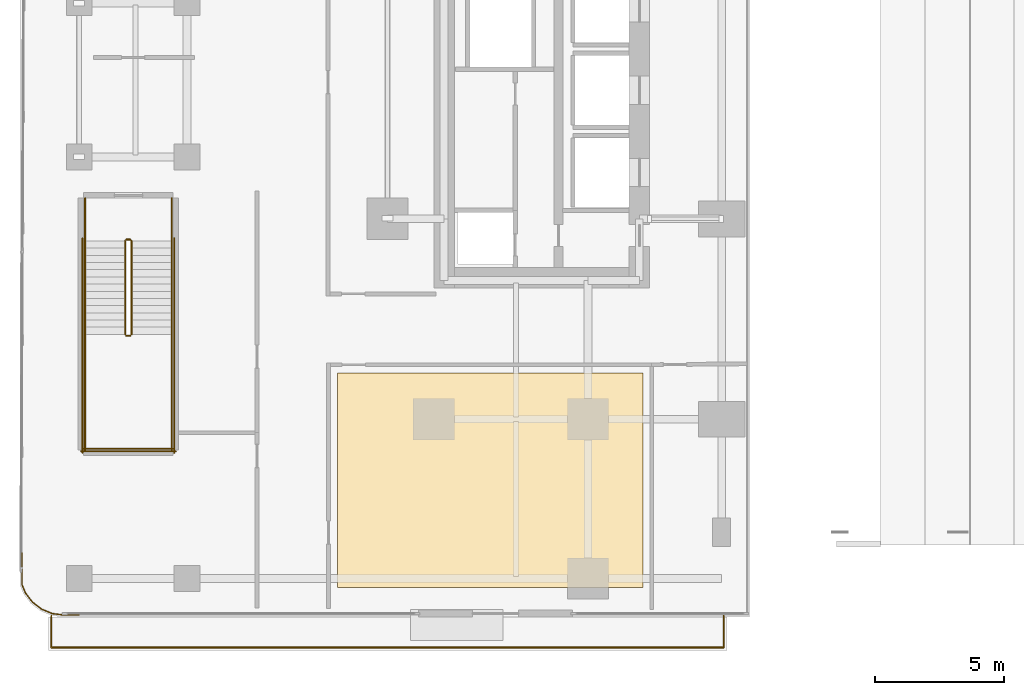
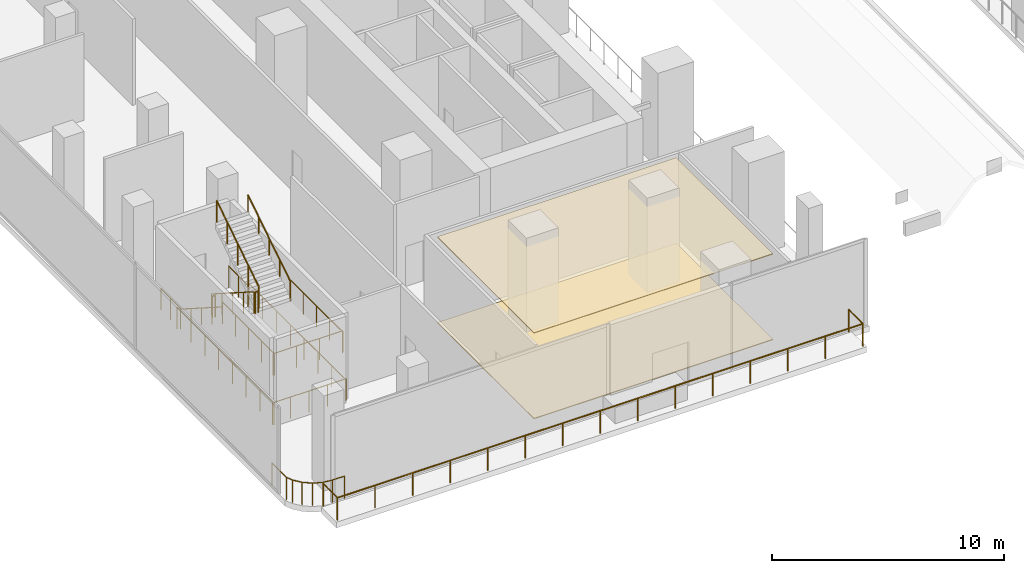
# One storey, part 23 of 32: 16 railings, 2 coverings.
"""IFC4 building model written with IfcOpenShell, lengths in metres."""

from ifc_helpers import new_model, si_unit, direction, frame, origin, origin_2d, place, context, subcontext, project, spatial, polyline, circle, outline, extrude, material, layer, layer_set, type_object, element, save


model = new_model("IFC4")

# Units and contexts
model_context = context("Model", 3, precision=1e-05, world=origin(), true_north=direction((0.0, 1.0)))
body_context = subcontext(model_context, "Body", "Model", "MODEL_VIEW")
ifc_project = project(units=[si_unit("LENGTHUNIT", "METRE"), si_unit("AREAUNIT", "SQUARE_METRE"), si_unit("VOLUMEUNIT", "CUBIC_METRE"), si_unit("PLANEANGLEUNIT", "RADIAN"), si_unit("MASSUNIT", "GRAM", prefix="KILO")], contexts=[model_context])

# Site, building, storey
site_placement = place(None, origin())
site = spatial("IfcSite", under=ifc_project, at=site_placement, CompositionType="ELEMENT")
building_placement = place(site_placement, origin())
building = spatial("IfcBuilding", under=site, at=building_placement, Name="Khairoan Windgate Tower", CompositionType="ELEMENT")
storey_placement = place(building_placement, frame((0.0, 0.0, 16.0)))
storey = spatial("IfcBuildingStorey", under=building, at=storey_placement, Name="L04", CompositionType="ELEMENT", Elevation=16.0)

# Railings
ifc_material_1 = material(Name="Anodised Bronze Aluminium 6063-T6", Category="aluminium")
railing_type_1 = type_object("IfcRailingType", Name="Aerodynamic Bronze-and-Glass Balustrade BAL-1200", PredefinedType="BALUSTRADE", material=ifc_material_1)
railing_1_placement = place(storey_placement, frame((-35.280029296875, -26.25, 0.0)))
element("IfcRailing", 1, at=railing_1_placement, inside=storey, type_object=railing_type_1, Name="South-West Congress Sky Terrace Balustrade", PredefinedType="BALUSTRADE", context=body_context, shape_type="SweptSolid", body=[
    extrude(circle(Radius=0.02392578125, at=origin_2d()), frame((0.0, 0.0, 1.17578125), z_axis=(0.0, -1.0, 0.0), x_axis=(1.0, 0.0, 0.0)), (0.0, 0.0, 1.0), 1.22998046875),
    extrude(circle(Radius=0.02392578125, at=origin_2d()), frame((0.0, -1.22998046875, 1.17578125), z_axis=(1.0, 0.0, 0.0), x_axis=(0.0, 1.0, 0.0)), (0.0, 0.0, 1.0), 26.159912109375),
    extrude(circle(Radius=0.02392578125, at=origin_2d()), frame((26.159912109375, -1.22998046875, 1.17578125), z_axis=(0.0, 1.0, 0.0), x_axis=(-1.0, 0.0, 0.0)), (0.0, 0.0, 1.0), 1.22998046875),
    extrude(circle(Radius=0.02099609375, at=origin_2d()), origin(), (0.0, 0.0, 1.0), 1.15185546875),
    extrude(circle(Radius=0.02099609375, at=origin_2d()), frame((0.0, -1.22998046875, 0.0)), (0.0, 0.0, 1.0), 1.15185546875),
    extrude(circle(Radius=0.02099609375, at=origin_2d()), frame((1.86865234375, -1.22998046875, 0.0)), (0.0, 0.0, 1.0), 1.15185546875),
    extrude(circle(Radius=0.02099609375, at=origin_2d()), frame((3.737060546875, -1.22998046875, 0.0)), (0.0, 0.0, 1.0), 1.15185546875),
    extrude(circle(Radius=0.02099609375, at=origin_2d()), frame((5.605712890625, -1.22998046875, 0.0)), (0.0, 0.0, 1.0), 1.15185546875),
    extrude(circle(Radius=0.02099609375, at=origin_2d()), frame((7.474365234375, -1.22998046875, 0.0)), (0.0, 0.0, 1.0), 1.15185546875),
    extrude(circle(Radius=0.02099609375, at=origin_2d()), frame((9.3427734375, -1.22998046875, 0.0)), (0.0, 0.0, 1.0), 1.15185546875),
    extrude(circle(Radius=0.02099609375, at=origin_2d()), frame((11.21142578125, -1.22998046875, 0.0)), (0.0, 0.0, 1.0), 1.15185546875),
    extrude(circle(Radius=0.02099609375, at=origin_2d()), frame((13.080078125, -1.22998046875, 0.0)), (0.0, 0.0, 1.0), 1.15185546875),
    extrude(circle(Radius=0.02099609375, at=origin_2d()), frame((14.948486328125, -1.22998046875, 0.0)), (0.0, 0.0, 1.0), 1.15185546875),
    extrude(circle(Radius=0.02099609375, at=origin_2d()), frame((16.817138671875, -1.22998046875, 0.0)), (0.0, 0.0, 1.0), 1.15185546875),
    extrude(circle(Radius=0.02099609375, at=origin_2d()), frame((18.685546875, -1.22998046875, 0.0)), (0.0, 0.0, 1.0), 1.15185546875),
    extrude(circle(Radius=0.02099609375, at=origin_2d()), frame((20.55419921875, -1.22998046875, 0.0)), (0.0, 0.0, 1.0), 1.15185546875),
    extrude(circle(Radius=0.02099609375, at=origin_2d()), frame((22.4228515625, -1.22998046875, 0.0)), (0.0, 0.0, 1.0), 1.15185546875),
    extrude(circle(Radius=0.02099609375, at=origin_2d()), frame((24.291259765625, -1.22998046875, 0.0)), (0.0, 0.0, 1.0), 1.15185546875),
    extrude(circle(Radius=0.02099609375, at=origin_2d()), frame((26.159912109375, -1.22998046875, 0.0)), (0.0, 0.0, 1.0), 1.15185546875),
    extrude(circle(Radius=0.02099609375, at=origin_2d()), frame((26.159912109375, 0.0, 0.0)), (0.0, 0.0, 1.0), 1.15185546875),
])
railing_2_placement = place(storey_placement, frame((-34.199951171875, -26.219970703125, 0.0)))
element("IfcRailing", 2, at=railing_2_placement, inside=storey, type_object=railing_type_1, Name="L04 WS Corner Edge Guardrail", PredefinedType="BALUSTRADE", context=body_context, shape_type="SweptSolid", body=[
    extrude(circle(Radius=0.02392578125, at=origin_2d()), frame((0.0, 0.0, 1.17578125), z_axis=(-1.0, 0.0, 0.0), x_axis=(0.0, -1.0, 0.0)), (0.0, 0.0, 1.0), 0.594970703125),
    extrude(circle(Radius=0.02392578125, at=origin_2d()), frame((-0.594970703125, 0.0, 1.17578125), z_axis=(-0.99149816219, 0.130120691567, 0.0), x_axis=(-0.130120691567, -0.99149816219, 0.0)), (0.0, 0.0, 1.0), 0.4541015625),
    extrude(circle(Radius=0.02392578125, at=origin_2d()), frame((-1.045166015625, 0.05908203125, 1.17578125), z_axis=(-0.923751502528, 0.382992377962, 0.0), x_axis=(-0.382992377962, -0.923751502528, 0.0)), (0.0, 0.0, 1.0), 0.44873046875),
    extrude(circle(Radius=0.02392578125, at=origin_2d()), frame((-1.459716796875, 0.23095703125, 1.17578125), z_axis=(-0.793290991681, 0.608842674685, 0.0), x_axis=(-0.608842674685, -0.793290991681, 0.0)), (0.0, 0.0, 1.0), 0.44873046875),
    extrude(circle(Radius=0.02392578125, at=origin_2d()), frame((-1.815673828125, 0.504150390625, 1.17578125), z_axis=(-0.608579962418, 0.793492551536, 0.0), x_axis=(-0.793492551536, -0.608579962418, 0.0)), (0.0, 0.0, 1.0), 0.448974609375),
    extrude(circle(Radius=0.02392578125, at=origin_2d()), frame((-2.0888671875, 0.8603515625, 1.17578125), z_axis=(-0.383044713365, 0.923729802249, 0.0), x_axis=(-0.923729802249, -0.383044713365, 0.0)), (0.0, 0.0, 1.0), 0.34228515625),
    extrude(circle(Radius=0.02392578125, at=origin_2d()), frame((-2.219970703125, 1.176513671875, 1.17578125), z_axis=(0.0, 1.0, 0.0), x_axis=(-1.0, 0.0, 0.0)), (0.0, 0.0, 1.0), 1.243408203125),
    extrude(circle(Radius=0.02099609375, at=origin_2d()), origin(), (0.0, 0.0, 1.0), 1.15185546875),
    extrude(circle(Radius=0.02099609375, at=origin_2d()), frame((-0.594970703125, 0.0, 0.0)), (0.0, 0.0, 1.0), 1.15185546875),
    extrude(circle(Radius=0.02099609375, at=origin_2d()), frame((-1.045166015625, 0.05908203125, 0.0)), (0.0, 0.0, 1.0), 1.15185546875),
    extrude(circle(Radius=0.02099609375, at=origin_2d()), frame((-1.459716796875, 0.23095703125, 0.0)), (0.0, 0.0, 1.0), 1.15185546875),
    extrude(circle(Radius=0.02099609375, at=origin_2d()), frame((-1.815673828125, 0.504150390625, 0.0)), (0.0, 0.0, 1.0), 1.15185546875),
    extrude(circle(Radius=0.02099609375, at=origin_2d()), frame((-2.0888671875, 0.8603515625, 0.0)), (0.0, 0.0, 1.0), 1.15185546875),
    extrude(circle(Radius=0.02099609375, at=origin_2d()), frame((-2.219970703125, 1.176513671875, 0.0)), (0.0, 0.0, 1.0), 1.15185546875),
    extrude(circle(Radius=0.02099609375, at=origin_2d()), frame((-2.219970703125, 2.419921875, 0.0)), (0.0, 0.0, 1.0), 1.15185546875),
])

# Coverings
ifc_material_2 = material(Name="Acoustic Mineral Fibre Ceiling", Category="gypsum")
ifc_layer_1 = layer(ifc_material_2, 0.0400390625, Name="Acoustic Mineral Fibre Ceiling")
ifc_layer_set_1 = layer_set([ifc_layer_1], Name="Acoustic Mineral Fibre Ceiling")
covering_type_1 = type_object("IfcCoveringType", Name="Flush Acoustic Mineral Ceiling Panel", PredefinedType="CEILING", material=ifc_layer_set_1)
covering_1_placement = place(storey_placement, frame((0.0, 0.0, 4.510009765625)))
element("IfcCovering", 3, at=covering_1_placement, inside=storey, type_object=covering_type_1, Name="L04 West Boulevard Congress VIP Lounge Acoustic Ceiling", PredefinedType="CEILING", context=body_context, shape_type="SweptSolid", body=[
    extrude(outline(polyline([(-24.14990234375, -16.81005859375), (-12.25, -16.81005859375), (-12.25, -25.14990234375), (-24.14990234375, -25.14990234375), (-24.14990234375, -16.81005859375)])), origin(), (0.0, 0.0, 1.0), 0.0400390625),
])
ifc_material_3 = material(Name="Travertine Stone Paving", Category="masonry")
ifc_layer_2 = layer(ifc_material_3, 0.0400390625, Name="Travertine Stone Paving")
ifc_layer_set_2 = layer_set([ifc_layer_2], Name="Travertine Stone Paving")
covering_type_2 = type_object("IfcCoveringType", Name="Honed Travertine Lobby Stone Flooring", PredefinedType="FLOORING", material=ifc_layer_set_2)
covering_2_placement = place(storey_placement, origin())
element("IfcCovering", 4, at=covering_2_placement, inside=storey, type_object=covering_type_2, Name="L04 West Boulevard Congress VIP Lounge Finish Flooring", PredefinedType="FLOORING", context=body_context, shape_type="SweptSolid", body=[
    extrude(outline(polyline([(-24.14990234375, -16.81005859375), (-12.25, -16.81005859375), (-12.25, -25.14990234375), (-24.14990234375, -25.14990234375), (-24.14990234375, -16.81005859375)])), origin(), (0.0, 0.0, 1.0), 0.0400390625),
])

# Railings
ifc_material_4 = material(Name="Anodised Bronze Aluminium 6063-T6", Category="aluminium")
railing_type_2 = type_object("IfcRailingType", Name="Stair Wall Handrail SHR-900", PredefinedType="HANDRAIL", material=ifc_material_4)
railing_3_placement = place(storey_placement, frame((-33.969970703125, -11.659912109375, 0.178466796875)))
element("IfcRailing", 5, at=railing_3_placement, inside=storey, type_object=railing_type_2, Name="L04 ST4 stair handrail 1", PredefinedType="HANDRAIL", context=body_context, shape_type="SweptSolid", body=[
    extrude(circle(Radius=0.02392578125, at=origin_2d()), frame((0.0, 0.0, 0.8759765625), z_axis=(0.0, -0.843127859045, 0.537713132908), x_axis=(1.0, 0.0, 0.0)), (0.0, 0.0, 1.0), 4.3173828125),
    extrude(circle(Radius=0.02099609375, at=origin_2d()), origin(), (0.0, 0.0, 1.0), 0.851806640625),
    extrude(circle(Radius=0.02099609375, at=origin_2d()), frame((0.0, -0.91015625, 0.580322265625)), (0.0, 0.0, 1.0), 0.851806640625),
    extrude(circle(Radius=0.02099609375, at=origin_2d()), frame((0.0, -1.820068359375, 1.16064453125)), (0.0, 0.0, 1.0), 0.851806640625),
    extrude(circle(Radius=0.02099609375, at=origin_2d()), frame((0.0, -2.72998046875, 1.7412109375)), (0.0, 0.0, 1.0), 0.851806640625),
    extrude(circle(Radius=0.02099609375, at=origin_2d()), frame((0.0, -3.64013671875, 2.321533203125)), (0.0, 0.0, 1.0), 0.851806640625),
])
railing_4_placement = place(storey_placement, frame((-30.60009765625, -15.300048828125, 2.678466796875)))
element("IfcRailing", 6, at=railing_4_placement, inside=storey, type_object=railing_type_2, Name="L04 ST4 stair handrail 2", PredefinedType="HANDRAIL", context=body_context, shape_type="SweptSolid", body=[
    extrude(circle(Radius=0.02392578125, at=origin_2d()), frame((0.0, 0.0, 0.8759765625), z_axis=(0.0, 0.843127859045, 0.537713132908), x_axis=(-1.0, 0.0, 0.0)), (0.0, 0.0, 1.0), 4.3173828125),
    extrude(circle(Radius=0.02099609375, at=origin_2d()), origin(), (0.0, 0.0, 1.0), 0.851806640625),
    extrude(circle(Radius=0.02099609375, at=origin_2d()), frame((0.0, 0.91015625, 0.580322265625)), (0.0, 0.0, 1.0), 0.851806640625),
    extrude(circle(Radius=0.02099609375, at=origin_2d()), frame((0.0, 1.820068359375, 1.16064453125)), (0.0, 0.0, 1.0), 0.851806640625),
    extrude(circle(Radius=0.02099609375, at=origin_2d()), frame((0.0, 2.72998046875, 1.7412109375)), (0.0, 0.0, 1.0), 0.851806640625),
    extrude(circle(Radius=0.02099609375, at=origin_2d()), frame((0.0, 3.64013671875, 2.321533203125)), (0.0, 0.0, 1.0), 0.851806640625),
])
ifc_material_5 = material(Name="Steel S355", Category="steel")
railing_type_3 = type_object("IfcRailingType", Name="Stairwell Safety Guardrail SGR-1150", PredefinedType="GUARDRAIL", material=ifc_material_5)
railing_5_placement = place(storey_placement, frame((-32.409912109375, -11.659912109375, 0.178466796875)))
element("IfcRailing", 7, at=railing_5_placement, inside=storey, type_object=railing_type_3, Name="L04 ST4 stair guard 1", PredefinedType="GUARDRAIL", context=body_context, shape_type="SweptSolid", body=[
    extrude(circle(Radius=0.02392578125, at=origin_2d()), frame((0.0, 0.0, 1.1259765625), z_axis=(0.0, -0.843127859045, 0.537713132908), x_axis=(1.0, 0.0, 0.0)), (0.0, 0.0, 1.0), 4.3173828125),
    extrude(circle(Radius=0.02099609375, at=origin_2d()), origin(), (0.0, 0.0, 1.0), 1.101806640625),
    extrude(circle(Radius=0.02099609375, at=origin_2d()), frame((0.0, -0.91015625, 0.580322265625)), (0.0, 0.0, 1.0), 1.101806640625),
    extrude(circle(Radius=0.02099609375, at=origin_2d()), frame((0.0, -1.820068359375, 1.16064453125)), (0.0, 0.0, 1.0), 1.101806640625),
    extrude(circle(Radius=0.02099609375, at=origin_2d()), frame((0.0, -2.72998046875, 1.7412109375)), (0.0, 0.0, 1.0), 1.101806640625),
    extrude(circle(Radius=0.02099609375, at=origin_2d()), frame((0.0, -3.64013671875, 2.321533203125)), (0.0, 0.0, 1.0), 1.101806640625),
])
railing_6_placement = place(storey_placement, frame((-32.360107421875, -15.35009765625, 2.5)))
element("IfcRailing", 8, at=railing_6_placement, inside=storey, type_object=railing_type_3, Name="L04 ST4 stair guard 2", PredefinedType="GUARDRAIL", context=body_context, shape_type="SweptSolid", body=[
    extrude(circle(Radius=0.02392578125, at=origin_2d()), frame((0.0, 0.0, 1.1259765625), z_axis=(1.0, 0.0, 0.0), x_axis=(0.0, 1.0, 0.0)), (0.0, 0.0, 1.0), 0.150146484375),
    extrude(circle(Radius=0.02099609375, at=origin_2d()), origin(), (0.0, 0.0, 1.0), 1.101806640625),
    extrude(circle(Radius=0.02099609375, at=origin_2d()), frame((0.150146484375, 0.0, 0.0)), (0.0, 0.0, 1.0), 1.101806640625),
])
for number, where, name in (
    (9, (-33.969970703125, -15.300048828125, 2.5), "L04 ST4 stair guard 3"),
    (10, (-30.60009765625, -15.300048828125, 2.5), "L04 ST4 stair guard 4"),
):
    element("IfcRailing", number, at=place(storey_placement, frame(where)), inside=storey, type_object=railing_type_3, Name=name, PredefinedType="GUARDRAIL", context=body_context, shape_type="SweptSolid", body=[
        extrude(circle(Radius=0.02392578125, at=origin_2d()), frame((0.0, 0.0, 1.1259765625), z_axis=(0.0, -1.0, 0.0), x_axis=(1.0, 0.0, 0.0)), (0.0, 0.0, 1.0), 4.5),
        extrude(circle(Radius=0.02099609375, at=origin_2d()), origin(), (0.0, 0.0, 1.0), 1.101806640625),
        extrude(circle(Radius=0.02099609375, at=origin_2d()), frame((0.0, -1.125, 0.0)), (0.0, 0.0, 1.0), 1.101806640625),
        extrude(circle(Radius=0.02099609375, at=origin_2d()), frame((0.0, -2.25, 0.0)), (0.0, 0.0, 1.0), 1.101806640625),
        extrude(circle(Radius=0.02099609375, at=origin_2d()), frame((0.0, -3.375, 0.0)), (0.0, 0.0, 1.0), 1.101806640625),
        extrude(circle(Radius=0.02099609375, at=origin_2d()), frame((0.0, -4.5, 0.0)), (0.0, 0.0, 1.0), 1.101806640625),
    ])
railing_7_placement = place(storey_placement, frame((-34.02001953125, -19.75, 2.5)))
element("IfcRailing", 11, at=railing_7_placement, inside=storey, type_object=railing_type_3, Name="L04 ST4 stair guard 5", PredefinedType="GUARDRAIL", context=body_context, shape_type="SweptSolid", body=[
    extrude(circle(Radius=0.02392578125, at=origin_2d()), frame((0.0, 0.0, 1.1259765625), z_axis=(1.0, 0.0, 0.0), x_axis=(0.0, 1.0, 0.0)), (0.0, 0.0, 1.0), 3.469970703125),
    extrude(circle(Radius=0.02099609375, at=origin_2d()), origin(), (0.0, 0.0, 1.0), 1.101806640625),
    extrude(circle(Radius=0.02099609375, at=origin_2d()), frame((1.15673828125, 0.0, 0.0)), (0.0, 0.0, 1.0), 1.101806640625),
    extrude(circle(Radius=0.02099609375, at=origin_2d()), frame((2.313232421875, 0.0, 0.0)), (0.0, 0.0, 1.0), 1.101806640625),
    extrude(circle(Radius=0.02099609375, at=origin_2d()), frame((3.469970703125, 0.0, 0.0)), (0.0, 0.0, 1.0), 1.101806640625),
])
railing_8_placement = place(storey_placement, frame((-32.159912109375, -15.300048828125, 2.678466796875)))
element("IfcRailing", 12, at=railing_8_placement, inside=storey, type_object=railing_type_3, Name="L04 ST4 stair guard 6", PredefinedType="GUARDRAIL", context=body_context, shape_type="SweptSolid", body=[
    extrude(circle(Radius=0.02392578125, at=origin_2d()), frame((0.0, 0.0, 1.1259765625), z_axis=(0.0, 0.843127859045, 0.537713132908), x_axis=(-1.0, 0.0, 0.0)), (0.0, 0.0, 1.0), 4.3173828125),
    extrude(circle(Radius=0.02099609375, at=origin_2d()), origin(), (0.0, 0.0, 1.0), 1.101806640625),
    extrude(circle(Radius=0.02099609375, at=origin_2d()), frame((0.0, 0.91015625, 0.580322265625)), (0.0, 0.0, 1.0), 1.101806640625),
    extrude(circle(Radius=0.02099609375, at=origin_2d()), frame((0.0, 1.820068359375, 1.16064453125)), (0.0, 0.0, 1.0), 1.101806640625),
    extrude(circle(Radius=0.02099609375, at=origin_2d()), frame((0.0, 2.72998046875, 1.7412109375)), (0.0, 0.0, 1.0), 1.101806640625),
    extrude(circle(Radius=0.02099609375, at=origin_2d()), frame((0.0, 3.64013671875, 2.321533203125)), (0.0, 0.0, 1.0), 1.101806640625),
])
railing_9_placement = place(storey_placement, frame((-32.360107421875, -11.610107421875, 0.0)))
element("IfcRailing", 13, at=railing_9_placement, inside=storey, type_object=railing_type_3, Name="L04 ST4 stair guard 7", PredefinedType="GUARDRAIL", context=body_context, shape_type="SweptSolid", body=[
    extrude(circle(Radius=0.02392578125, at=origin_2d()), frame((0.0, 0.0, 1.1259765625), z_axis=(1.0, 0.0, 0.0), x_axis=(0.0, 1.0, 0.0)), (0.0, 0.0, 1.0), 0.150146484375),
    extrude(circle(Radius=0.02099609375, at=origin_2d()), origin(), (0.0, 0.0, 1.0), 1.101806640625),
    extrude(circle(Radius=0.02099609375, at=origin_2d()), frame((0.150146484375, 0.0, 0.0)), (0.0, 0.0, 1.0), 1.101806640625),
])
for number, where, name in (
    (14, (-33.969970703125, -10.0, 0.0), "L04 ST4 stair guard 8"),
    (15, (-30.60009765625, -10.0, 0.0), "L04 ST4 stair guard 9"),
):
    element("IfcRailing", number, at=place(storey_placement, frame(where)), inside=storey, type_object=railing_type_3, Name=name, PredefinedType="GUARDRAIL", context=body_context, shape_type="SweptSolid", body=[
        extrude(circle(Radius=0.02392578125, at=origin_2d()), frame((0.0, 0.0, 1.1259765625), z_axis=(0.0, -1.0, 0.0), x_axis=(1.0, 0.0, 0.0)), (0.0, 0.0, 1.0), 1.659912109375),
        extrude(circle(Radius=0.02099609375, at=origin_2d()), origin(), (0.0, 0.0, 1.0), 1.101806640625),
        extrude(circle(Radius=0.02099609375, at=origin_2d()), frame((0.0, -0.830078125, 0.0)), (0.0, 0.0, 1.0), 1.101806640625),
        extrude(circle(Radius=0.02099609375, at=origin_2d()), frame((0.0, -1.659912109375, 0.0)), (0.0, 0.0, 1.0), 1.101806640625),
    ])
for number, where, name in (
    (16, (-34.070068359375, -11.56005859375, 0.0), "L04 ST4 stair guard 10"),
    (17, (-30.5, -11.56005859375, 0.0), "L04 ST4 stair guard 11"),
):
    element("IfcRailing", number, at=place(storey_placement, frame(where)), inside=storey, type_object=railing_type_3, Name=name, PredefinedType="GUARDRAIL", context=body_context, shape_type="SweptSolid", body=[
        extrude(circle(Radius=0.02392578125, at=origin_2d()), frame((0.0, 0.0, 1.1259765625), z_axis=(0.0, -1.0, 0.0), x_axis=(1.0, 0.0, 0.0)), (0.0, 0.0, 1.0), 8.33984375),
        extrude(circle(Radius=0.02099609375, at=origin_2d()), origin(), (0.0, 0.0, 1.0), 1.101806640625),
        extrude(circle(Radius=0.02099609375, at=origin_2d()), frame((0.0, -1.19140625, 0.0)), (0.0, 0.0, 1.0), 1.101806640625),
        extrude(circle(Radius=0.02099609375, at=origin_2d()), frame((0.0, -2.3828125, 0.0)), (0.0, 0.0, 1.0), 1.101806640625),
        extrude(circle(Radius=0.02099609375, at=origin_2d()), frame((0.0, -3.57421875, 0.0)), (0.0, 0.0, 1.0), 1.101806640625),
        extrude(circle(Radius=0.02099609375, at=origin_2d()), frame((0.0, -4.765625, 0.0)), (0.0, 0.0, 1.0), 1.101806640625),
        extrude(circle(Radius=0.02099609375, at=origin_2d()), frame((0.0, -5.95703125, 0.0)), (0.0, 0.0, 1.0), 1.101806640625),
        extrude(circle(Radius=0.02099609375, at=origin_2d()), frame((0.0, -7.1484375, 0.0)), (0.0, 0.0, 1.0), 1.101806640625),
        extrude(circle(Radius=0.02099609375, at=origin_2d()), frame((0.0, -8.33984375, 0.0)), (0.0, 0.0, 1.0), 1.101806640625),
    ])
railing_10_placement = place(storey_placement, frame((-34.1201171875, -19.85009765625, 0.0)))
element("IfcRailing", 18, at=railing_10_placement, inside=storey, type_object=railing_type_3, Name="L04 ST4 stair guard 12", PredefinedType="GUARDRAIL", context=body_context, shape_type="SweptSolid", body=[
    extrude(circle(Radius=0.02392578125, at=origin_2d()), frame((0.0, 0.0, 1.1259765625), z_axis=(1.0, 0.0, 0.0), x_axis=(0.0, 1.0, 0.0)), (0.0, 0.0, 1.0), 3.670166015625),
    extrude(circle(Radius=0.02099609375, at=origin_2d()), origin(), (0.0, 0.0, 1.0), 1.101806640625),
    extrude(circle(Radius=0.02099609375, at=origin_2d()), frame((0.91748046875, 0.0, 0.0)), (0.0, 0.0, 1.0), 1.101806640625),
    extrude(circle(Radius=0.02099609375, at=origin_2d()), frame((1.8349609375, 0.0, 0.0)), (0.0, 0.0, 1.0), 1.101806640625),
    extrude(circle(Radius=0.02099609375, at=origin_2d()), frame((2.752685546875, 0.0, 0.0)), (0.0, 0.0, 1.0), 1.101806640625),
    extrude(circle(Radius=0.02099609375, at=origin_2d()), frame((3.670166015625, 0.0, 0.0)), (0.0, 0.0, 1.0), 1.101806640625),
])

save(model, "model.ifc")
